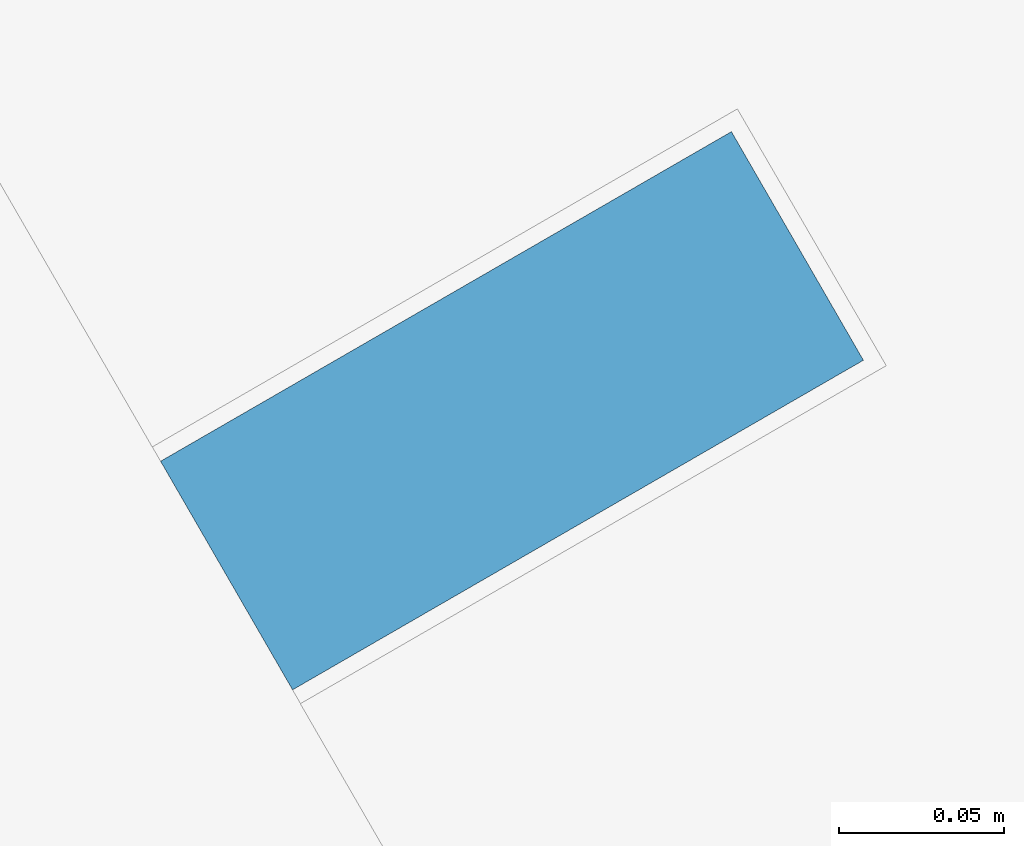
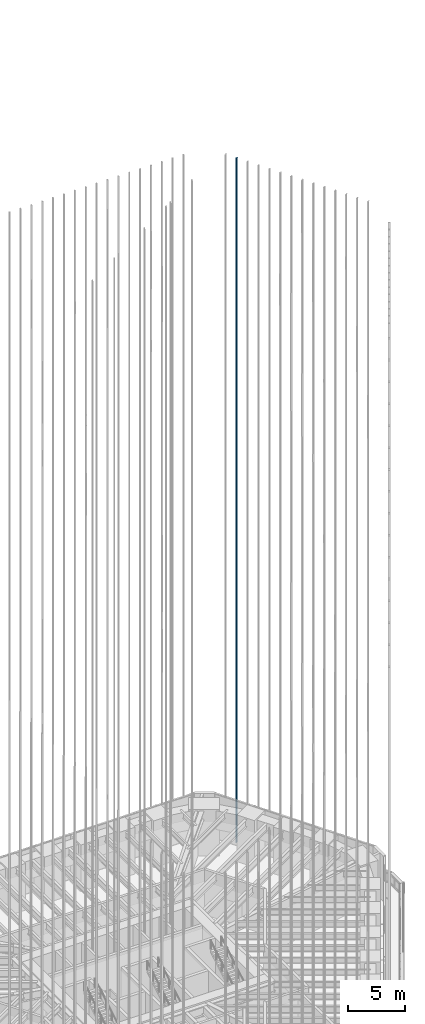
# One storey, part 199 of 228: 1 member, 1 element without a shape of its own.
"""IFC4 building model written with IfcOpenShell, lengths in metres."""

from ifc_helpers import new_model, si_unit, direction, frame, origin, origin_2d, place, context, subcontext, project, spatial, rectangle, extrude, material, material_profile, profile_set, type_object, element, aggregate, save


model = new_model("IFC4")

# Units and contexts
model_context = context("Model", 3, precision=1e-05, world=origin(), true_north=direction((0.0, 1.0)))
body_context = subcontext(model_context, "Body", "Model", "MODEL_VIEW")
ifc_project = project(units=[si_unit("LENGTHUNIT", "METRE"), si_unit("AREAUNIT", "SQUARE_METRE"), si_unit("VOLUMEUNIT", "CUBIC_METRE"), si_unit("PLANEANGLEUNIT", "RADIAN"), si_unit("MASSUNIT", "GRAM", prefix="KILO")], contexts=[model_context])

# Site, building, storey
site_placement = place(None, origin())
site = spatial("IfcSite", under=ifc_project, at=site_placement, CompositionType="ELEMENT")
building_placement = place(site_placement, origin())
building = spatial("IfcBuilding", under=site, at=building_placement, Name="Sandreach Pilgrim Tower", CompositionType="ELEMENT")
storey_placement = place(building_placement, frame((0.0, 0.0, 178.199951171875)))
storey = spatial("IfcBuildingStorey", under=building, at=storey_placement, Name="L44", CompositionType="ELEMENT", Elevation=178.199951171875)

# Curtain wall, member
ifc_material_1 = material(Name="Aluminium framed curtain wall", Category="aluminium")
curtain_wall_type = type_object("IfcCurtainWallType", Name="Upper hotel tower curtain wall", PredefinedType="NOTDEFINED", material=ifc_material_1)
curtain_wall_placement = place(storey_placement, origin())
curtain_wall = element("IfcCurtainWall", 1, at=curtain_wall_placement, inside=storey, type_object=curtain_wall_type, Name="CW-3 L44 NE", PredefinedType="NOTDEFINED")
ifc_material_2 = material(Name="Extruded terracotta on aluminium core", Category="masonry")
ifc_material_profile = material_profile(ifc_material_2, rectangle(XDim=0.080078125, YDim=0.199951171875, at=origin_2d()), Name="TBE 80X200")
ifc_profile_set = profile_set([ifc_material_profile], Name="Extruded terracotta on aluminium core")
member_type = type_object("IfcMemberType", Name="Terracotta baguette east", PredefinedType="USERDEFINED", material=ifc_profile_set)
member_placement = place(storey_placement, frame((20.26416015625, 18.751708984375, 0.0), z_axis=(0.0, 0.0, 1.0), x_axis=(0.5, -0.866025403784, 0.0)))
member = element("IfcMember", 2, at=member_placement, type_object=member_type, Name="Baguette Z3 NE02", ObjectType="BAGUETTE", PredefinedType="USERDEFINED", context=body_context, shape_type="SweptSolid", body=[
    extrude(rectangle(XDim=0.080078125, YDim=0.199951171875, at=origin_2d()), origin(), (0.0, 0.0, 1.0), 73.239990234375),
])
aggregate(curtain_wall, [member])

save(model, "model.ifc")
